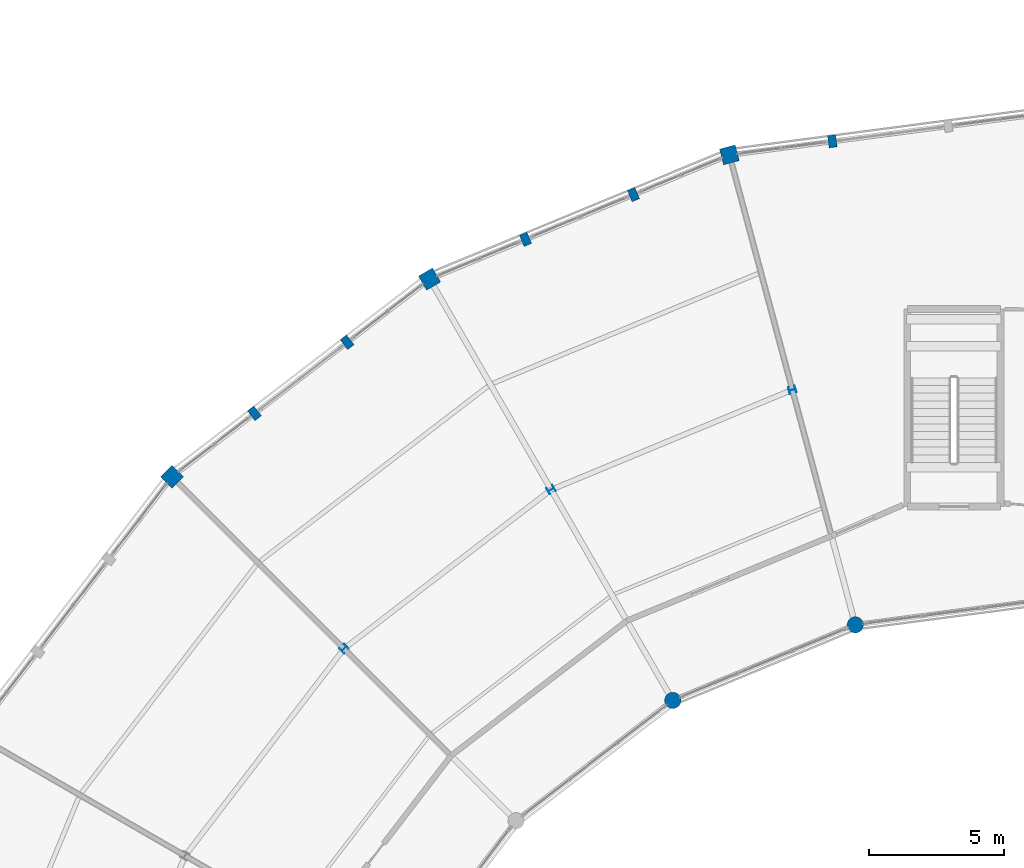
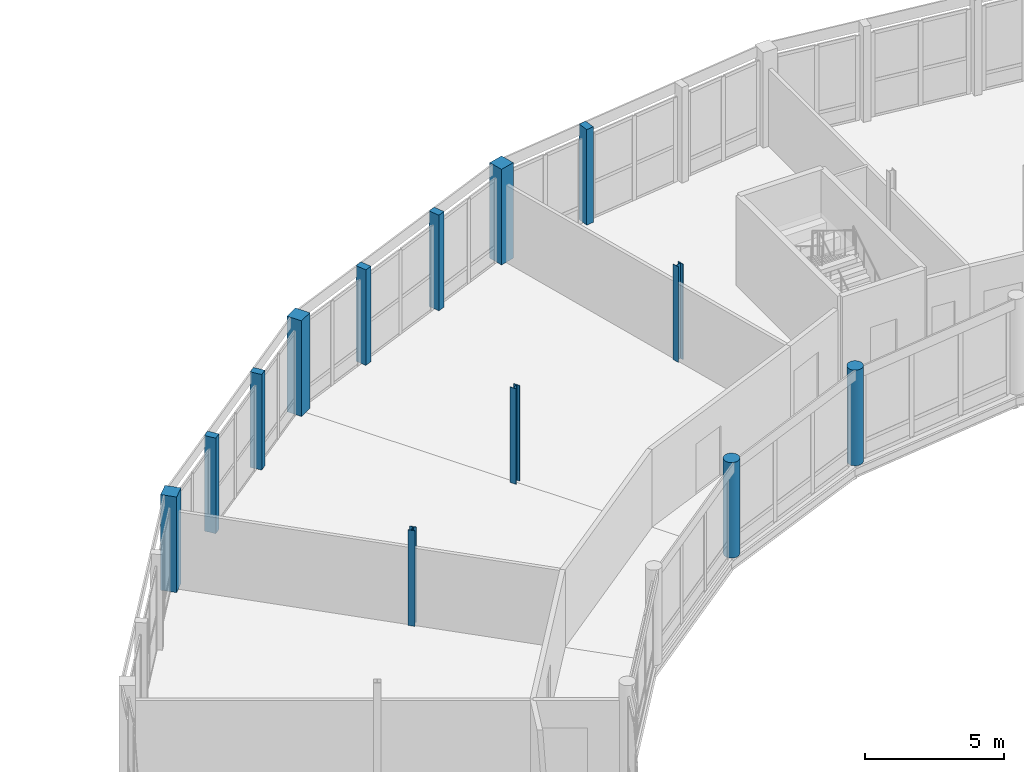
# One storey, part 12 of 185: 13 columns.
"""IFC4 building model written with IfcOpenShell, lengths in metres."""

from ifc_helpers import new_model, si_unit, direction, frame, origin, origin_2d, place, context, subcontext, project, spatial, rectangle, circle, i_section, extrude, material, material_profile, profile_set, type_object, element, save


model = new_model("IFC4")

# Units and contexts
model_context = context("Model", 3, precision=1e-05, world=origin(), true_north=direction((0.0, 1.0)))
body_context = subcontext(model_context, "Body", "Model", "MODEL_VIEW")
ifc_project = project(units=[si_unit("LENGTHUNIT", "METRE"), si_unit("AREAUNIT", "SQUARE_METRE"), si_unit("VOLUMEUNIT", "CUBIC_METRE"), si_unit("PLANEANGLEUNIT", "RADIAN"), si_unit("MASSUNIT", "GRAM", prefix="KILO")], contexts=[model_context])

# Site, building, storey
site_placement = place(None, origin())
site = spatial("IfcSite", under=ifc_project, at=site_placement, CompositionType="ELEMENT")
building_placement = place(site_placement, origin())
building = spatial("IfcBuilding", under=site, at=building_placement, Name="Vondelvale Polytechnic", CompositionType="ELEMENT")
storey_placement = place(building_placement, frame((0.0, 0.0, 9.60009765625)))
storey = spatial("IfcBuildingStorey", under=building, at=storey_placement, Name="L02", CompositionType="ELEMENT", Elevation=9.60009765625)

# Columns
ifc_material_1 = material(Name="Glulam GL18 structural Tasmanian oak (fb = 42 MPa)", Category="wood")
ifc_material_profile_1 = material_profile(ifc_material_1, rectangle(XDim=0.300048828125, YDim=0.449951171875, at=origin_2d()), Name="GL-POST-300x450")
ifc_profile_set_1 = profile_set([ifc_material_profile_1], Name="Glulam GL18 structural Tasmanian oak (fb = 42 MPa)")
column_type_1 = type_object("IfcColumnType", Name="COL-GLULAM-300x450", PredefinedType="PILASTER", material=ifc_profile_set_1)
for number, where, z_axis, x_axis, name in (
    (1, (93.904052734375, 116.93408203125, 0.0), (0.0, 0.0, 1.0), (0.991444861374, 0.13052619222, 0.0), "L02 ring outer glulam timber post C06-P2"),
    (2, (86.544189453125, 114.962158203125, 0.0), (0.0, 0.0, 1.0), (0.923879532511, 0.382683432365, 0.0), "L02 ring outer glulam timber post C07-P1"),
    (3, (82.55029296875, 113.3076171875, 0.0), (0.0, 0.0, 1.0), (0.923879532511, 0.382683432365, 0.0), "L02 ring outer glulam timber post C07-P2"),
    (4, (75.951416015625, 109.497802734375, 0.0), (0.0, 0.0, 1.0), (0.793353340291, 0.608761429009, 0.0), "L02 ring outer glulam timber post C08-P1"),
    (5, (72.521728515625, 106.8662109375, 0.0), (0.0, 0.0, 1.0), (0.793353340291, 0.608761429009, 0.0), "L02 ring outer glulam timber post C08-P2"),
):
    element("IfcColumn", number, at=place(storey_placement, frame(where, z_axis=z_axis, x_axis=x_axis)), inside=storey, type_object=column_type_1, Name=name, PredefinedType="PILASTER", context=body_context, shape_type="SweptSolid", body=[
        extrude(rectangle(XDim=0.300048828125, YDim=0.449951171875, at=origin_2d()), origin(), (0.0, 0.0, 1.0), 4.199951171875),
    ])
ifc_material_2 = material(Name="Concrete N50 (f'c = 50 MPa)", Category="concrete")
ifc_material_profile_2 = material_profile(ifc_material_2, rectangle(XDim=0.60009765625, YDim=0.60009765625, at=origin_2d()), Name="RC-COL-600x600")
ifc_profile_set_2 = profile_set([ifc_material_profile_2], Name="Concrete N50 (f'c = 50 MPa)")
column_type_2 = type_object("IfcColumnType", Name="COL-RC600", PredefinedType="COLUMN", material=ifc_profile_set_2)
for number, where, z_axis, x_axis, name in (
    (6, (90.09423828125, 116.4326171875, 0.0), (0.0, 0.0, 1.0), (-0.258819045103, 0.965925826289, 0.0), "L02 courtyard ring column S07-RO"),
    (7, (79.0, 111.837158203125, 0.0), (0.0, 0.0, 1.0), (-0.5, 0.866025403784, 0.0), "L02 courtyard ring column S08-RO"),
    (8, (69.47314453125, 104.52685546875, 0.0), (0.0, 0.0, 1.0), (-0.707106781187, 0.707106781187, 0.0), "L02 courtyard ring column S09-RO"),
):
    element("IfcColumn", number, at=place(storey_placement, frame(where, z_axis=z_axis, x_axis=x_axis)), inside=storey, type_object=column_type_2, Name=name, PredefinedType="COLUMN", context=body_context, shape_type="SweptSolid", body=[
        extrude(rectangle(XDim=0.60009765625, YDim=0.60009765625, at=origin_2d()), origin(), (0.0, 0.0, 1.0), 4.199951171875),
    ])
ifc_material_profile_3 = material_profile(ifc_material_2, circle(Radius=0.300048828125, at=origin_2d()), Name="RC-COL-D600")
ifc_profile_set_3 = profile_set([ifc_material_profile_3], Name="Concrete N50 (f'c = 50 MPa)")
column_type_3 = type_object("IfcColumnType", Name="COL-RCD600", PredefinedType="COLUMN", material=ifc_profile_set_3)
for number, where, z_axis, x_axis, name in (
    (9, (94.753173828125, 99.0458984375, 0.0), (0.0, 0.0, 1.0), (-0.258819045103, 0.965925826289, 0.0), "L02 courtyard ring column S07-RI"),
    (10, (88.0, 96.248779296875, 0.0), (0.0, 0.0, 1.0), (-0.5, 0.866025403784, 0.0), "L02 courtyard ring column S08-RI"),
):
    element("IfcColumn", number, at=place(storey_placement, frame(where, z_axis=z_axis, x_axis=x_axis)), inside=storey, type_object=column_type_3, Name=name, PredefinedType="COLUMN", context=body_context, shape_type="SweptSolid", body=[
        extrude(circle(Radius=0.300048828125, at=origin_2d()), origin(), (0.0, 0.0, 1.0), 4.199951171875),
    ])
ifc_material_3 = material(Name="Steel 300PLUS (fy = 300 MPa)", Category="steel")
ifc_material_profile_4 = material_profile(ifc_material_3, i_section(OverallWidth=0.256103515625, OverallDepth=0.260009765625, WebThickness=0.010498046875, FlangeThickness=0.017333984375, FilletRadius=0.013916015625, at=origin_2d()), Name="250UC89.5")
ifc_profile_set_4 = profile_set([ifc_material_profile_4], Name="Steel 300PLUS (fy = 300 MPa)")
column_type_4 = type_object("IfcColumnType", Name="COL-UC250", PredefinedType="COLUMN", material=ifc_profile_set_4)
for number, where, z_axis, x_axis, name in (
    (11, (92.423583984375, 107.7392578125, 0.0), (0.0, 0.0, 1.0), (-0.258819045103, 0.965925826289, 0.0), "L02 courtyard ring column S07-RM"),
    (12, (83.5, 104.04296875, 0.0), (0.0, 0.0, 1.0), (-0.5, 0.866025403784, 0.0), "L02 courtyard ring column S08-RM"),
    (13, (75.8369140625, 98.1630859375, 0.0), (0.0, 0.0, 1.0), (-0.707106781187, 0.707106781187, 0.0), "L02 courtyard ring column S09-RM"),
):
    element("IfcColumn", number, at=place(storey_placement, frame(where, z_axis=z_axis, x_axis=x_axis)), inside=storey, type_object=column_type_4, Name=name, PredefinedType="COLUMN", context=body_context, shape_type="SweptSolid", body=[
        extrude(i_section(OverallWidth=0.256103515625, OverallDepth=0.260009765625, WebThickness=0.010498046875, FlangeThickness=0.017333984375, FilletRadius=0.013916015625, at=origin_2d()), origin(), (0.0, 0.0, 1.0), 4.199951171875),
    ])

save(model, "model.ifc")
